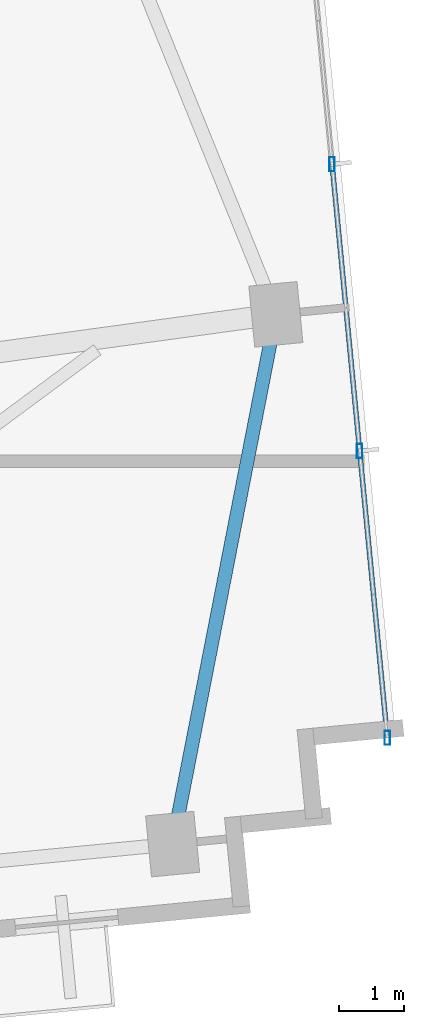
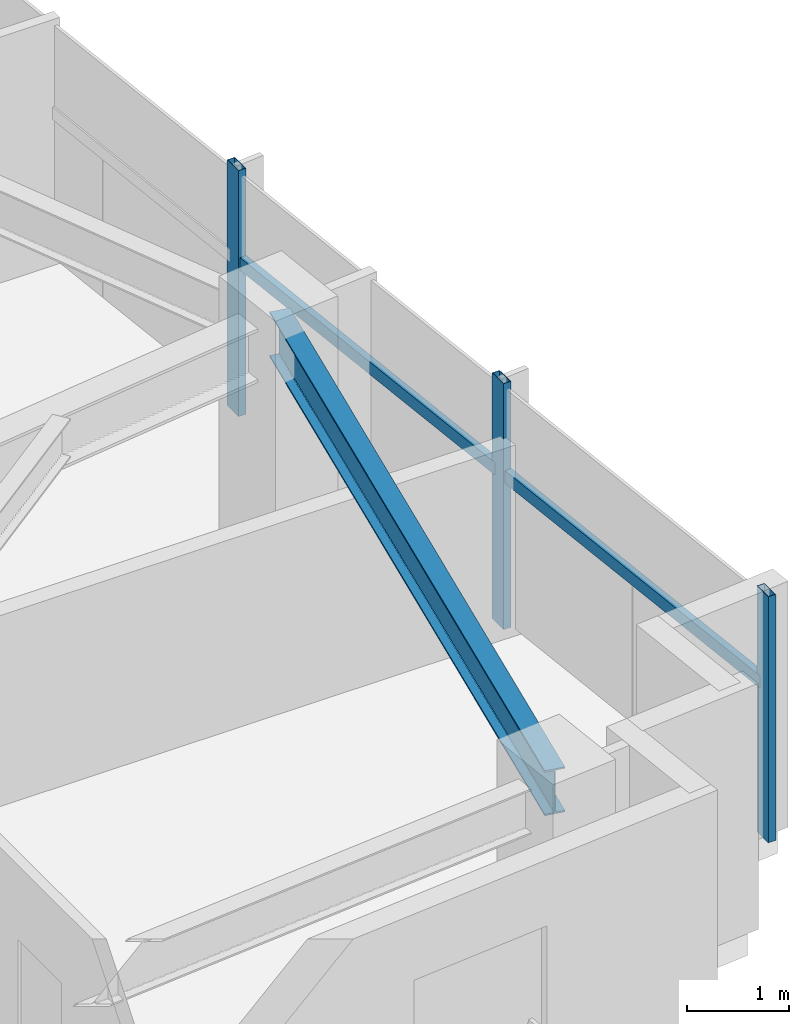
# One storey, part 10 of 18: 5 members, 1 beam, 1 element without a shape of its own.
"""IFC4 building model written with IfcOpenShell, lengths in metres."""

from ifc_helpers import new_model, si_unit, direction, frame, origin, origin_2d, place, context, subcontext, project, spatial, hollow_rectangle, i_section, extrude, source, transform, mapped, material, material_profile, profile_set, type_object, type_shapes, element, aggregate, save


model = new_model("IFC4")

# Units and contexts
model_context = context("Model", 3, precision=1e-05, world=origin(), true_north=direction((0.0, 1.0)))
body_context = subcontext(model_context, "Body", "Model", "MODEL_VIEW")
ifc_project = project(units=[si_unit("LENGTHUNIT", "METRE"), si_unit("AREAUNIT", "SQUARE_METRE"), si_unit("VOLUMEUNIT", "CUBIC_METRE"), si_unit("PLANEANGLEUNIT", "RADIAN"), si_unit("MASSUNIT", "GRAM", prefix="KILO")], contexts=[model_context])

# Site, building, storey
site_placement = place(None, origin())
site = spatial("IfcSite", under=ifc_project, at=site_placement, CompositionType="ELEMENT")
building_placement = place(site_placement, origin())
building = spatial("IfcBuilding", under=site, at=building_placement, Name="Astriad Promenade Condominiums", CompositionType="ELEMENT")
storey_placement = place(building_placement, frame((0.0, 0.0, 192.199951171875)))
storey = spatial("IfcBuildingStorey", under=building, at=storey_placement, Name="L55", CompositionType="ELEMENT", Elevation=192.199951171875)

# Beam
ifc_material_1 = material(Name="Steel ASTM A992 Grade 50", Category="steel")
ifc_material_profile_1 = material_profile(ifc_material_1, i_section(OverallWidth=0.210693359375, OverallDepth=0.53955078125, WebThickness=0.01171875, FlangeThickness=0.018798828125, FilletRadius=0.0166015625, at=origin_2d()), Name="W21X73")
ifc_profile_set_1 = profile_set([ifc_material_profile_1], Name="Steel ASTM A992 Grade 50")
beam_type = type_object("IfcBeamType", Name="STEEL SPANDREL BEAM W21X73", PredefinedType="SPANDREL", material=ifc_profile_set_1)
shared_shape_1 = source(origin(), body_context, "Body", "SweptSolid", [
    extrude(i_section(OverallWidth=0.210693359375, OverallDepth=0.53955078125, WebThickness=0.01171875, FlangeThickness=0.018798828125, FilletRadius=0.0166015625, at=origin_2d()), origin(), (0.0, 0.0, 1.0), 8.28564453125),
])
type_shapes(beam_type, [shared_shape_1])
beam_placement = place(storey_placement, frame((61.775634765625, 11.6552734375, 2.670166015625), z_axis=(0.191291582099, 0.981533254973, 0.0), x_axis=(-0.981533254973, 0.191291582099, 0.0)))
element("IfcBeam", 1, at=beam_placement, inside=storey, type_object=beam_type, Name="Perimeter Spandrel Beam SP-E1-L55", PredefinedType="SPANDREL", context=body_context, shape_type="MappedRepresentation", body=[
    mapped(shared_shape_1, transform((0.0, 0.0, 0.0), scale=1.0)),
])

# Curtain wall, members
ifc_material_2 = material(Name="Anodised aluminium Black Dark Glass Unitised", Category="aluminium")
curtain_wall_type = type_object("IfcCurtainWallType", Name="CW-B34-DARK", PredefinedType="USERDEFINED", material=ifc_material_2)
curtain_wall_placement = place(storey_placement, origin())
curtain_wall = element("IfcCurtainWall", 2, at=curtain_wall_placement, inside=storey, type_object=curtain_wall_type, Name="CW-L55-E", ObjectType="UNITISED_CURTAIN_WALL", PredefinedType="USERDEFINED")
ifc_material_3 = material(Name="Anodised aluminium 6063-T6 Black", Category="aluminium")
ifc_material_profile_2 = material_profile(ifc_material_3, hollow_rectangle(XDim=0.0849609375, YDim=0.219970703125, WallThickness=0.0048828125, at=origin_2d()), Name="ALU-MUL-85X220")
ifc_profile_set_2 = profile_set([ifc_material_profile_2], Name="Anodised aluminium 6063-T6 Black")
member_type_1 = type_object("IfcMemberType", Name="MUL-ALU-MUL-85X220", PredefinedType="MULLION", material=ifc_profile_set_2)
shared_shape_2 = source(origin(), body_context, "Body", "SweptSolid", [
    extrude(hollow_rectangle(XDim=0.0849609375, YDim=0.219970703125, WallThickness=0.0048828125, at=origin_2d()), origin(), (0.0, 0.0, 1.0), 2.93994140625),
])
type_shapes(member_type_1, [shared_shape_2])
member_1_placement = place(storey_placement, frame((64.239013671875, 22.154541015625, 0.0), z_axis=(0.0, 0.0, 1.0), x_axis=(1.0, 0.0, 0.0)))
member_1 = element("IfcMember", 3, at=member_1_placement, type_object=member_type_1, Name="CW-L55-E-MUL-01", PredefinedType="MULLION", context=body_context, shape_type="MappedRepresentation", body=[
    mapped(shared_shape_2, transform((0.0, 0.0, 0.0), scale=1.0)),
])
member_2_placement = place(storey_placement, frame((64.667236328125, 17.70849609375, 0.0), z_axis=(0.0, 0.0, 1.0), x_axis=(1.0, 0.0, 0.0)))
member_2 = element("IfcMember", 4, at=member_2_placement, type_object=member_type_1, Name="CW-L55-E-MUL-02", PredefinedType="MULLION", context=body_context, shape_type="MappedRepresentation", body=[
    mapped(shared_shape_2, transform((0.0, 0.0, 0.0), scale=1.0)),
])
member_3_placement = place(storey_placement, frame((65.095458984375, 13.262451171875, 0.0), z_axis=(0.0, 0.0, 1.0), x_axis=(1.0, 0.0, 0.0)))
member_3 = element("IfcMember", 5, at=member_3_placement, type_object=member_type_1, Name="CW-L55-E-MUL-03", PredefinedType="MULLION", context=body_context, shape_type="MappedRepresentation", body=[
    mapped(shared_shape_2, transform((0.0, 0.0, 0.0), scale=1.0)),
])
ifc_material_profile_3 = material_profile(ifc_material_3, hollow_rectangle(XDim=0.074951171875, YDim=0.14990234375, WallThickness=0.004150390625, at=origin_2d()), Name="ALU-TRN-75X150")
ifc_profile_set_3 = profile_set([ifc_material_profile_3], Name="Anodised aluminium 6063-T6 Black")
member_type_2 = type_object("IfcMemberType", Name="TRN-ALU-TRN-75X150", PredefinedType="USERDEFINED", material=ifc_profile_set_3)
shared_shape_3 = source(origin(), body_context, "Body", "SweptSolid", [
    extrude(hollow_rectangle(XDim=0.074951171875, YDim=0.14990234375, WallThickness=0.004150390625, at=origin_2d()), origin(), (0.0, 0.0, 1.0), 4.466552734375),
])
type_shapes(member_type_2, [shared_shape_3])
member_4_placement = place(storey_placement, frame((64.239013671875, 22.154541015625, 1.82275390625), z_axis=(0.095871755514, -0.995393694221, 0.0), x_axis=(0.995393694221, 0.095871755514, 0.0)))
member_4 = element("IfcMember", 6, at=member_4_placement, type_object=member_type_2, Name="CW-L55-E-TRN-01-0", ObjectType="TRANSOM", PredefinedType="USERDEFINED", context=body_context, shape_type="MappedRepresentation", body=[
    mapped(shared_shape_3, transform((0.0, 0.0, 0.0), scale=1.0)),
])
member_5_placement = place(storey_placement, frame((64.667236328125, 17.70849609375, 1.82275390625), z_axis=(0.095871755514, -0.995393694221, 0.0), x_axis=(0.995393694221, 0.095871755514, 0.0)))
member_5 = element("IfcMember", 7, at=member_5_placement, type_object=member_type_2, Name="CW-L55-E-TRN-02-0", ObjectType="TRANSOM", PredefinedType="USERDEFINED", context=body_context, shape_type="MappedRepresentation", body=[
    mapped(shared_shape_3, transform((0.0, 0.0, 0.0), scale=1.0)),
])
aggregate(curtain_wall, [member_1, member_2, member_3, member_4, member_5])

save(model, "model.ifc")
